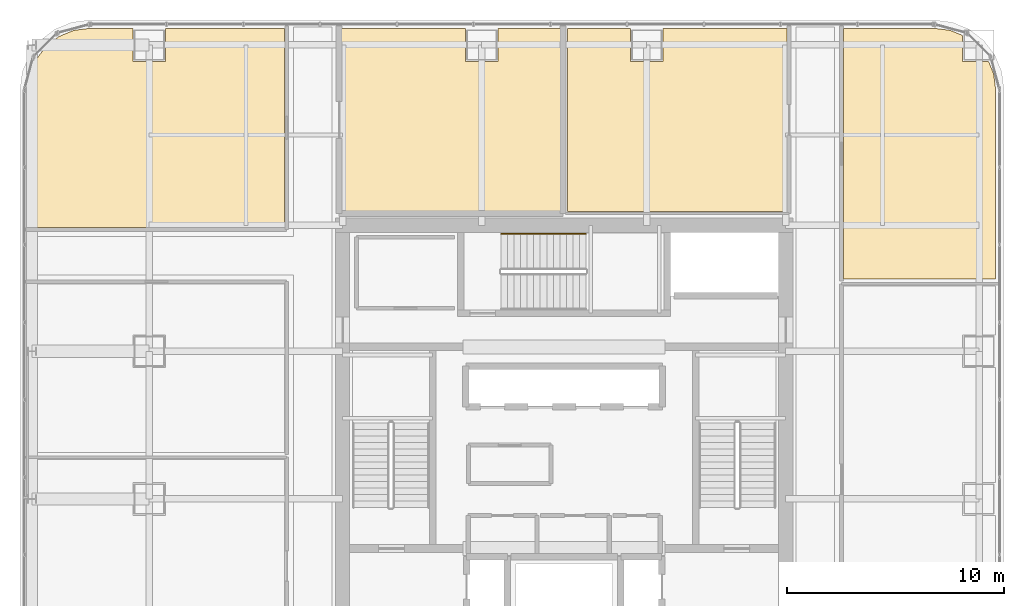
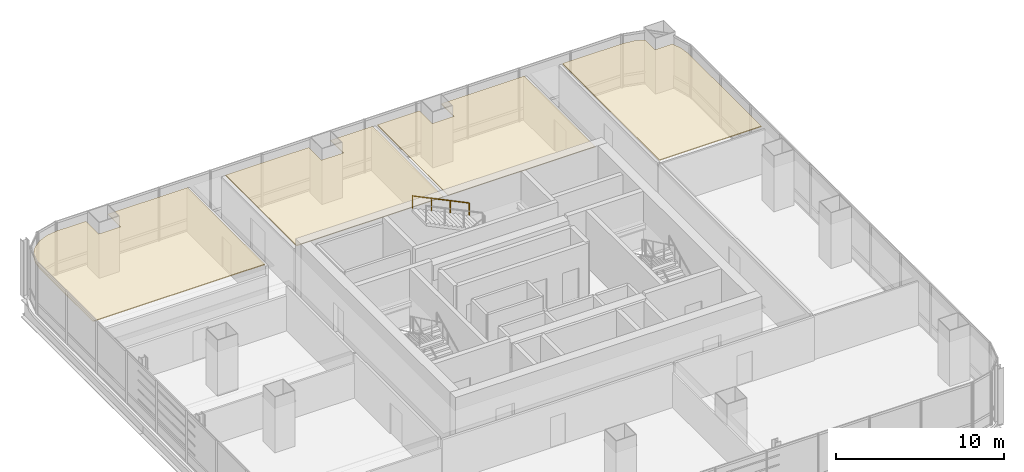
# One storey, part 36 of 36: 4 coverings, 1 railing.
"""IFC4 building model written with IfcOpenShell, lengths in metres."""

import ifcopenshell
import ifcopenshell.guid

model = None  # the IFC model being written
_history = None  # IfcOwnerHistory: only IFC2X3 demands one
_inside = {}  # id of a spatial element -> (the spatial element, [elements in it])
_under = {}  # id of a project, library or spatial element -> (it, [spatial elements below it])
_declared = {}  # id of a project -> (the project, [libraries it declares])
_typed = {}  # id of a type object -> (the type object, [elements of that type])
_made_of = {}  # id of a material, layer set ... -> (it, [elements and type objects made of it])


def new_model(schema):
    """Start an empty IFC model of exactly this schema.

    Asked for "IFC4X3", IfcOpenShell would pick the latest addendum, in which some entities
    have other attributes; the version numbers below select the first issue.
    IFC2X3 requires an IfcOwnerHistory on every rooted entity: one is made here for all.
    """
    global model, _history
    if schema == "IFC4X3":
        model = ifcopenshell.file(schema_version=(4, 3, 0, 0))
    else:
        model = ifcopenshell.file(schema=schema)
    _inside.clear()
    _under.clear()
    _declared.clear()
    _typed.clear()
    _made_of.clear()
    _history = None
    if model.schema == "IFC2X3":
        org = make("IfcOrganization", Name="unknown")
        user = make(
            "IfcPersonAndOrganization",
            ThePerson=make("IfcPerson", FamilyName="unknown"),
            TheOrganization=org,
        )
        app = make(
            "IfcApplication",
            ApplicationDeveloper=org,
            Version="unknown",
            ApplicationFullName="unknown",
            ApplicationIdentifier="unknown",
        )
        _history = make(
            "IfcOwnerHistory",
            OwningUser=user,
            OwningApplication=app,
            ChangeAction="ADDED",
            CreationDate=0,
        )
    return model


def make(cls, **values):
    """One entity of the class cls with the attributes given. An attribute that is None is left unset."""
    return model.create_entity(
        cls, **{name: value for name, value in values.items() if value is not None}
    )


def rooted(cls, **values):
    """An entity with a GlobalId (a new one), such as an element, a storey or a relation."""
    return make(cls, GlobalId=ifcopenshell.guid.new(), OwnerHistory=_history, **values)


def si_unit(unit_type, name, prefix=None):
    """IfcSIUnit, for example si_unit("LENGTHUNIT", "METRE", prefix="MILLI")."""
    return make("IfcSIUnit", UnitType=unit_type, Prefix=prefix, Name=name)


def assignment(units):
    """IfcUnitAssignment: the units of a project."""
    return None if units is None else make("IfcUnitAssignment", Units=units)


def point(xyz):
    """IfcCartesianPoint."""
    return None if xyz is None else make("IfcCartesianPoint", Coordinates=xyz)


def direction(xyz):
    """IfcDirection."""
    return None if xyz is None else make("IfcDirection", DirectionRatios=xyz)


def frame(location, z_axis=None, x_axis=None):
    """IfcAxis2Placement3D, a coordinate frame: its origin and axes. An axis left out is left unset."""
    return make(
        "IfcAxis2Placement3D",
        Location=point(location),
        Axis=direction(z_axis),
        RefDirection=direction(x_axis),
    )


def frame_2d(location, x_axis=None):
    """IfcAxis2Placement2D, a coordinate frame in the plane: its origin and x axis."""
    return make(
        "IfcAxis2Placement2D", Location=point(location), RefDirection=direction(x_axis)
    )


def origin():
    """The frame at (0, 0, 0) with its axes left unset."""
    return frame((0.0, 0.0, 0.0))


def origin_2d():
    """The frame at (0, 0) in the plane with its x axis left unset."""
    return frame_2d((0.0, 0.0))


def place(relative_to, where):
    """IfcLocalPlacement: puts the frame where relative to a parent placement (None: the world)."""
    return make(
        "IfcLocalPlacement", PlacementRelTo=relative_to, RelativePlacement=where
    )


def context(
    kind, dimensions, precision=None, world=None, true_north=None, identifier=None
):
    """IfcGeometricRepresentationContext, for example the 3D "Model" context."""
    return make(
        "IfcGeometricRepresentationContext",
        ContextIdentifier=identifier,
        ContextType=kind,
        CoordinateSpaceDimension=dimensions,
        Precision=precision,
        WorldCoordinateSystem=world,
        TrueNorth=true_north,
    )


def subcontext(parent, identifier, kind, view, scale=None):
    """IfcGeometricRepresentationSubContext, for example "Body" below "Model"."""
    return make(
        "IfcGeometricRepresentationSubContext",
        ContextIdentifier=identifier,
        ContextType=kind,
        ParentContext=parent,
        TargetScale=scale,
        TargetView=view,
    )


def project(units=None, contexts=None):
    """IfcProject with its units and contexts."""
    return rooted(
        "IfcProject",
        Name="project",
        RepresentationContexts=contexts,
        UnitsInContext=assignment(units),
    )


def spatial(cls, under=None, at=None, **own):
    """A site, building, storey or space (cls), placed at a placement, below another one or the project."""
    s = rooted(cls, ObjectPlacement=at, **own)
    if under is not None:
        _under.setdefault(under.id(), (under, []))[1].append(s)
    return s


def polyline(points):
    """IfcPolyline through the points."""
    return make("IfcPolyline", Points=[point(p) for p in points])


def profile(cls, at=None, kind="AREA", **sizes):
    """A parametric profile (cls). Its sizes go by their IFC names, for example OverallWidth=200.0."""
    return make(cls, ProfileType=kind, Position=at, **sizes)


def circle(**sizes):
    """IfcCircleProfileDef."""
    return profile("IfcCircleProfileDef", **sizes)


def outline(outer, holes=None, kind="AREA"):
    """IfcArbitraryClosedProfileDef: a profile drawn as a closed curve; with holes, ...WithVoids."""
    if holes is None:
        return make("IfcArbitraryClosedProfileDef", ProfileType=kind, OuterCurve=outer)
    return make(
        "IfcArbitraryProfileDefWithVoids",
        ProfileType=kind,
        OuterCurve=outer,
        InnerCurves=holes,
    )


def extrude(swept, where, along, depth):
    """IfcExtrudedAreaSolid: the profile swept, set in the frame where, extruded along a direction by depth."""
    return make(
        "IfcExtrudedAreaSolid",
        SweptArea=swept,
        Position=where,
        ExtrudedDirection=direction(along),
        Depth=depth,
    )


def shape(context_of_items, identifier, shape_type, items):
    """IfcShapeRepresentation: the items that make up one representation, for example the "Body"."""
    return make(
        "IfcShapeRepresentation",
        ContextOfItems=context_of_items,
        RepresentationIdentifier=identifier,
        RepresentationType=shape_type,
        Items=items,
    )


def material(Name=None, Category=None):
    """IfcMaterial."""
    return make("IfcMaterial", Name=Name, Category=Category)


def layer(
    of_material, thickness, ventilated=None, Name=None, Category=None, Priority=None
):
    """IfcMaterialLayer: one layer of a wall or slab, of a material (None: an air gap)."""
    return make(
        "IfcMaterialLayer",
        Material=of_material,
        LayerThickness=thickness,
        IsVentilated=ventilated,
        Name=Name,
        Category=Category,
        Priority=Priority,
    )


def layer_set(layers, Name=None):
    """IfcMaterialLayerSet."""
    return make("IfcMaterialLayerSet", MaterialLayers=layers, LayerSetName=Name)


def made_of(thing, what):
    """Note that an element or type object is made of a material, layer set ...; save() writes the relation."""
    if what is not None:
        _made_of.setdefault(what.id(), (what, []))[1].append(thing)
    return thing


def type_object(cls, material=None, **own):
    """A type object (cls), such as IfcWallType, which elements share."""
    return made_of(rooted(cls, **own), material)


def element(
    cls,
    number,
    at=None,
    inside=None,
    cuts=None,
    type_object=None,
    material=None,
    context=None,
    identifier="Body",
    shape_type=None,
    held_by="IfcProductDefinitionShape",
    body=None,
    shapes=None,
    **own,
):
    """One element of the class cls, such as IfcWall. Its Tag is "e" and its number.

    at: its placement. inside: the storey or other place that contains it. cuts: it is an
    opening in that element (IfcRelVoidsElement). A single representation is given by context,
    identifier, shape_type and body (its items); several are given by shapes. held_by: the class
    of the entity that holds the representations. save() writes the other relations.
    """
    e = rooted(cls, Tag="e%d" % number, ObjectPlacement=at, **own)
    if body is not None:
        shapes = [shape(context, identifier, shape_type, body)]
    if shapes is not None:
        e.Representation = make(held_by, Representations=shapes)
    if inside is not None:
        _inside.setdefault(inside.id(), (inside, []))[1].append(e)
    if cuts is not None:
        rooted(
            "IfcRelVoidsElement", RelatingBuildingElement=cuts, RelatedOpeningElement=e
        )
    if type_object is not None:
        _typed.setdefault(type_object.id(), (type_object, []))[1].append(e)
    return made_of(e, material)


def aggregate(whole, parts):
    """IfcRelAggregates: a whole, such as a stair, and the parts it consists of."""
    return rooted("IfcRelAggregates", RelatingObject=whole, RelatedObjects=parts)


def save(model, path):
    """Write the relations noted so far, then the file.

    IfcRelAggregates (storeys below a building ...), IfcRelContainedInSpatialStructure (elements
    in a storey), IfcRelDefinesByType, IfcRelAssociatesMaterial and IfcRelDeclares: one each for
    every whole, place, type object, material and project.
    """
    for whole, parts in _under.values():
        aggregate(whole, parts)
    for where, things in _inside.values():
        rooted(
            "IfcRelContainedInSpatialStructure",
            RelatedElements=things,
            RelatingStructure=where,
        )
    for kind, things in _typed.values():
        rooted("IfcRelDefinesByType", RelatedObjects=things, RelatingType=kind)
    for what, things in _made_of.values():
        rooted("IfcRelAssociatesMaterial", RelatedObjects=things, RelatingMaterial=what)
    for by, libraries in _declared.values():
        rooted("IfcRelDeclares", RelatingContext=by, RelatedDefinitions=libraries)
    model.write(path)


model = new_model("IFC4")

# Units and contexts
model_context = context("Model", 3, precision=1e-05, world=origin(), true_north=direction((0.0, 1.0)))
body_context = subcontext(model_context, "Body", "Model", "MODEL_VIEW")
ifc_project = project(units=[si_unit("LENGTHUNIT", "METRE"), si_unit("AREAUNIT", "SQUARE_METRE"), si_unit("VOLUMEUNIT", "CUBIC_METRE"), si_unit("PLANEANGLEUNIT", "RADIAN"), si_unit("MASSUNIT", "GRAM", prefix="KILO")], contexts=[model_context])

# Site, building, storey
site_placement = place(None, origin())
site = spatial("IfcSite", under=ifc_project, at=site_placement, CompositionType="ELEMENT")
building_placement = place(site_placement, origin())
building = spatial("IfcBuilding", under=site, at=building_placement, Name="Punatoya Terracotta Tower", CompositionType="ELEMENT")
storey_placement = place(building_placement, frame((0.0, 0.0, 180.300048828125)))
storey = spatial("IfcBuildingStorey", under=building, at=storey_placement, Name="L42", CompositionType="ELEMENT", Elevation=180.300048828125)

# Coverings
ifc_material_1 = material(Name="Acoustic Mineral Fibre Ceiling")
ifc_layer = layer(ifc_material_1, 0.06005859375)
ifc_layer_set = layer_set([ifc_layer], Name="Acoustic Mineral Fibre Ceiling")
covering_type = type_object("IfcCoveringType", Name="COV-CEIL-60", PredefinedType="CEILING", material=ifc_layer_set)
covering_1_placement = place(storey_placement, frame((0.0, 0.0, 3.219970703125)))
element("IfcCovering", 1, at=covering_1_placement, inside=storey, type_object=covering_type, Name="L42 Open-Plan Mindfulness Wellness Room Acoustic Ceiling", PredefinedType="CEILING", context=body_context, shape_type="SweptSolid", body=[
    extrude(outline(polyline([(12.8701171875, 18.27001953125), (12.8701171875, 6.722900390625), (19.8701171875, 6.722900390625), (19.8701171875, 15.425048828125), (19.770751953125, 16.178955078125), (19.5341796875, 16.75), (18.35009765625, 16.75), (18.35009765625, 17.934326171875), (17.779052734375, 18.1708984375), (17.025146484375, 18.27001953125), (12.8701171875, 18.27001953125)])), origin(), (0.0, 0.0, 1.0), 0.06005859375),
])
covering_2_placement = place(storey_placement, frame((0.0, 0.0, 3.219970703125)))
element("IfcCovering", 2, at=covering_2_placement, inside=storey, type_object=covering_type, Name="L42 Open-Plan Cultural Reading Library Acoustic Ceiling", PredefinedType="CEILING", context=body_context, shape_type="SweptSolid", body=[
    extrude(outline(polyline([(-24.57080078125, 16.178955078125), (-24.669921875, 15.425048828125), (-24.669921875, 9.10009765625), (-12.8701171875, 9.10009765625), (-12.8701171875, 18.27001953125), (-18.35009765625, 18.27001953125), (-18.35009765625, 16.75), (-19.85009765625, 16.75), (-19.85009765625, 18.27001953125), (-21.8251953125, 18.27001953125), (-22.5791015625, 18.1708984375), (-23.25830078125, 17.889404296875), (-23.841796875, 17.441650390625), (-24.289306640625, 16.8583984375), (-24.57080078125, 16.178955078125)])), origin(), (0.0, 0.0, 1.0), 0.06005859375),
])
covering_3_placement = place(storey_placement, frame((0.0, 0.0, 3.219970703125)))
element("IfcCovering", 3, at=covering_3_placement, inside=storey, type_object=covering_type, Name="L42 Open-Plan Fitness Movement Lounge Acoustic Ceiling", PredefinedType="CEILING", context=body_context, shape_type="SweptSolid", body=[
    extrude(outline(polyline([(-10.260009765625, 18.27001953125), (-10.260009765625, 9.840087890625), (-0.159912109375, 9.840087890625), (-0.159912109375, 18.27001953125), (-3.050048828125, 18.27001953125), (-3.050048828125, 16.75), (-4.550048828125, 16.75), (-4.550048828125, 18.27001953125), (-10.260009765625, 18.27001953125)])), origin(), (0.0, 0.0, 1.0), 0.06005859375),
])
covering_4_placement = place(storey_placement, frame((0.0, 0.0, 3.219970703125)))
element("IfcCovering", 4, at=covering_4_placement, inside=storey, type_object=covering_type, Name="L42 Open-Plan Seminar Discussion Room Acoustic Ceiling", PredefinedType="CEILING", context=body_context, shape_type="SweptSolid", body=[
    extrude(outline(polyline([(3.050048828125, 18.27001953125), (0.159912109375, 18.27001953125), (0.159912109375, 9.840087890625), (10.260009765625, 9.840087890625), (10.260009765625, 18.27001953125), (4.550048828125, 18.27001953125), (4.550048828125, 16.75), (3.050048828125, 16.75), (3.050048828125, 18.27001953125)])), origin(), (0.0, 0.0, 1.0), 0.06005859375),
])

# Railing
ifc_material_2 = material(Name="Steel S355", Category="steel")
railing_type = type_object("IfcRailingType", Name="RLG-HND-900", PredefinedType="HANDRAIL", material=ifc_material_2)
railing_placement = place(storey_placement, frame((1.0, 8.800048828125, 2.169677734375)))
element("IfcRailing", 5, at=railing_placement, inside=storey, type_object=railing_type, Name="L42 ST-3 stair handrail 2", PredefinedType="HANDRAIL", context=body_context, shape_type="SweptSolid", body=[
    extrude(circle(Radius=0.02392578125, at=origin_2d()), frame((0.0, 0.0, 0.8759765625), z_axis=(-0.900763166376, 0.0, 0.434310623978), x_axis=(0.0, -1.0, 0.0)), (0.0, 0.0, 1.0), 4.32958984375),
    extrude(circle(Radius=0.02099609375, at=origin_2d()), origin(), (0.0, 0.0, 1.0), 0.851806640625),
    extrude(circle(Radius=0.02099609375, at=origin_2d()), frame((-1.300048828125, 0.0, 0.626708984375)), (0.0, 0.0, 1.0), 0.851806640625),
    extrude(circle(Radius=0.02099609375, at=origin_2d()), frame((-2.599853515625, 0.0, 1.253662109375)), (0.0, 0.0, 1.0), 0.851806640625),
    extrude(circle(Radius=0.02099609375, at=origin_2d()), frame((-3.89990234375, 0.0, 1.88037109375)), (0.0, 0.0, 1.0), 0.851806640625),
])

save(model, "model.ifc")
